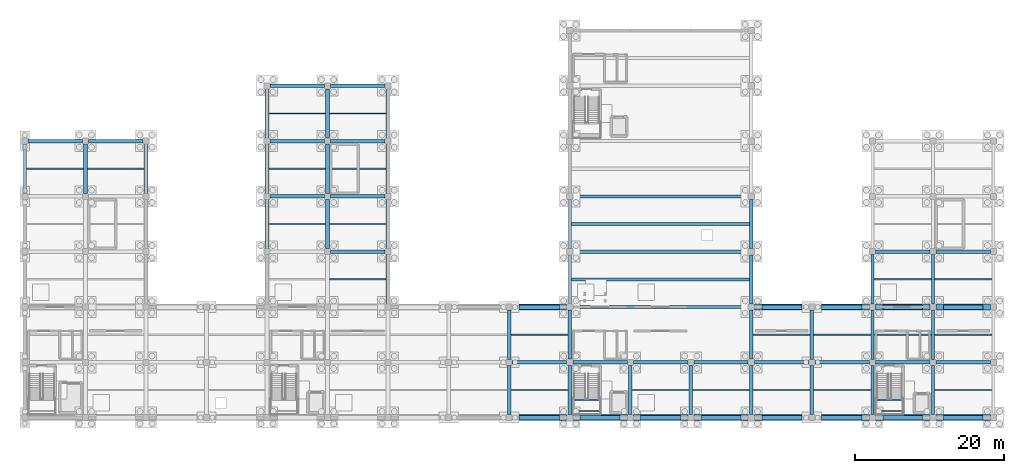
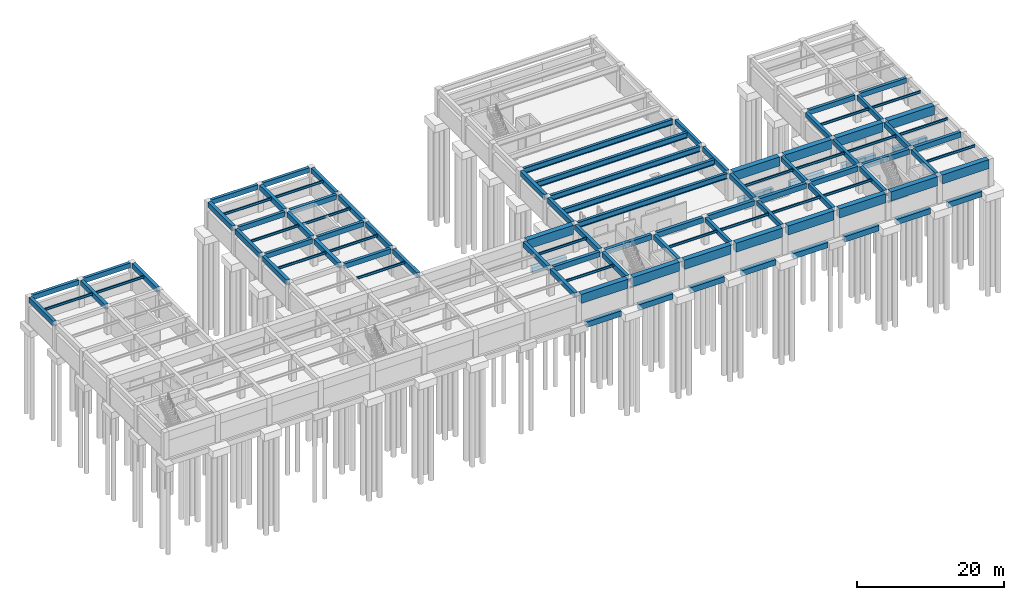
# One storey, part 5 of 14: 109 beams.
"""IFC4 building model written with IfcOpenShell, lengths in metres."""

from ifc_helpers import new_model, si_unit, direction, frame, origin, origin_2d, place, context, subcontext, project, spatial, rectangle, i_section, extrude, material, material_profile, profile_set, type_object, element, save


model = new_model("IFC4")

# Units and contexts
model_context = context("Model", 3, precision=1e-05, world=origin(), true_north=direction((0.0, 1.0)))
body_context = subcontext(model_context, "Body", "Model", "MODEL_VIEW")
ifc_project = project(units=[si_unit("LENGTHUNIT", "METRE"), si_unit("AREAUNIT", "SQUARE_METRE"), si_unit("VOLUMEUNIT", "CUBIC_METRE"), si_unit("PLANEANGLEUNIT", "RADIAN"), si_unit("MASSUNIT", "GRAM", prefix="KILO")], contexts=[model_context])

# Site, building, storey
site_placement = place(None, origin())
site = spatial("IfcSite", under=ifc_project, at=site_placement, CompositionType="ELEMENT")
building_placement = place(site_placement, origin())
building = spatial("IfcBuilding", under=site, at=building_placement, Name="Cimatlan Art Gallery", CompositionType="ELEMENT")
storey_placement = place(building_placement, frame((0.0, 0.0, -4.800048828125)))
storey = spatial("IfcBuildingStorey", under=building, at=storey_placement, Name="B1", CompositionType="ELEMENT", Elevation=-4.800048828125)

# Beams
ifc_material_1 = material(Name="Concrete C40/50", Category="concrete")
ifc_material_profile_1 = material_profile(ifc_material_1, rectangle(XDim=0.60009765625, YDim=0.89990234375, at=origin_2d()), Name="RC600X900")
ifc_profile_set_1 = profile_set([ifc_material_profile_1], Name="Concrete C40/50")
beam_type_1 = type_object("IfcBeamType", Name="BM-GB-600X900", PredefinedType="BEAM", material=ifc_profile_set_1)
for number, where, z_axis, x_axis, name in (
    (1, (68.10009765625, 23.89990234375, -0.89990234375), (1.0, 0.0, 0.0), (0.0, 1.0, 0.0), "BM-GB-X-08-03"),
    (2, (68.10009765625, 38.699951171875, -0.89990234375), (1.0, 0.0, 0.0), (0.0, 1.0, 0.0), "BM-GB-X-08-05"),
):
    element("IfcBeam", number, at=place(storey_placement, frame(where, z_axis=z_axis, x_axis=x_axis)), inside=storey, type_object=beam_type_1, Name=name, PredefinedType="BEAM", context=body_context, shape_type="SweptSolid", body=[
        extrude(rectangle(XDim=0.60009765625, YDim=0.89990234375, at=origin_2d()), origin(), (0.0, 0.0, 1.0), 5.39990234375),
    ])
for number, where, z_axis, x_axis, name in (
    (3, (76.300048828125, 23.89990234375, -0.89990234375), (1.0, 0.0, 0.0), (0.0, 1.0, 0.0), "BM-GB-X-09-03"),
    (4, (84.39990234375, 23.89990234375, -0.89990234375), (1.0, 0.0, 0.0), (0.0, 1.0, 0.0), "BM-GB-X-10-03"),
    (5, (92.5, 23.89990234375, -0.89990234375), (1.0, 0.0, 0.0), (0.0, 1.0, 0.0), "BM-GB-X-11-03"),
):
    element("IfcBeam", number, at=place(storey_placement, frame(where, z_axis=z_axis, x_axis=x_axis)), inside=storey, type_object=beam_type_1, Name=name, PredefinedType="BEAM", context=body_context, shape_type="SweptSolid", body=[
        extrude(rectangle(XDim=0.60009765625, YDim=0.89990234375, at=origin_2d()), origin(), (0.0, 0.0, 1.0), 5.300048828125),
    ])
for number, where, z_axis, x_axis, name in (
    (6, (100.60009765625, 23.89990234375, -0.89990234375), (1.0, 0.0, 0.0), (0.0, 1.0, 0.0), "BM-GB-X-12-03"),
    (7, (100.60009765625, 38.699951171875, -0.89990234375), (1.0, 0.0, 0.0), (0.0, 1.0, 0.0), "BM-GB-X-12-05"),
    (8, (108.60009765625, 23.89990234375, -0.89990234375), (1.0, 0.0, 0.0), (0.0, 1.0, 0.0), "BM-GB-X-13-03"),
    (9, (108.60009765625, 38.699951171875, -0.89990234375), (1.0, 0.0, 0.0), (0.0, 1.0, 0.0), "BM-GB-X-13-05"),
):
    element("IfcBeam", number, at=place(storey_placement, frame(where, z_axis=z_axis, x_axis=x_axis)), inside=storey, type_object=beam_type_1, Name=name, PredefinedType="BEAM", context=body_context, shape_type="SweptSolid", body=[
        extrude(rectangle(XDim=0.60009765625, YDim=0.89990234375, at=origin_2d()), origin(), (0.0, 0.0, 1.0), 5.39990234375),
    ])
for number, where, z_axis, x_axis, name in (
    (10, (116.800048828125, 23.89990234375, -0.89990234375), (1.0, 0.0, 0.0), (0.0, 1.0, 0.0), "BM-GB-X-14-03"),
    (11, (116.800048828125, 38.699951171875, -0.89990234375), (1.0, 0.0, 0.0), (0.0, 1.0, 0.0), "BM-GB-X-14-05"),
    (12, (124.89990234375, 23.89990234375, -0.89990234375), (1.0, 0.0, 0.0), (0.0, 1.0, 0.0), "BM-GB-X-15-03"),
    (13, (124.89990234375, 38.699951171875, -0.89990234375), (1.0, 0.0, 0.0), (0.0, 1.0, 0.0), "BM-GB-X-15-05"),
):
    element("IfcBeam", number, at=place(storey_placement, frame(where, z_axis=z_axis, x_axis=x_axis)), inside=storey, type_object=beam_type_1, Name=name, PredefinedType="BEAM", context=body_context, shape_type="SweptSolid", body=[
        extrude(rectangle(XDim=0.60009765625, YDim=0.89990234375, at=origin_2d()), origin(), (0.0, 0.0, 1.0), 5.300048828125),
    ])
ifc_material_profile_2 = material_profile(ifc_material_1, rectangle(XDim=0.449951171875, YDim=0.800048828125, at=origin_2d()), Name="RC450X800")
ifc_profile_set_2 = profile_set([ifc_material_profile_2], Name="Concrete C40/50")
beam_type_2 = type_object("IfcBeamType", Name="BM-RC-450X800", PredefinedType="BEAM", material=ifc_profile_set_2)
for number, where, z_axis, x_axis, name in (
    (14, (83.0, 24.300048828125, 4.1201171875), (0.0, 1.0, 0.0), (-1.0, 0.0, 0.0), "BM-Y-B1-10-03"),
    (15, (91.10009765625, 24.300048828125, 4.1201171875), (0.0, 1.0, 0.0), (-1.0, 0.0, 0.0), "BM-Y-B1-11-03"),
):
    element("IfcBeam", number, at=place(storey_placement, frame(where, z_axis=z_axis, x_axis=x_axis)), inside=storey, type_object=beam_type_2, Name=name, PredefinedType="BEAM", context=body_context, shape_type="SweptSolid", body=[
        extrude(rectangle(XDim=0.449951171875, YDim=0.800048828125, at=origin_2d()), origin(), (0.0, 0.0, 1.0), 6.599853515625),
    ])
beam_1_placement = place(storey_placement, frame((99.199951171875, 24.324951171875, 4.1201171875), z_axis=(0.0, 1.0, 0.0), x_axis=(-1.0, 0.0, 0.0)))
element("IfcBeam", 16, at=beam_1_placement, inside=storey, type_object=beam_type_2, Name="BM-Y-B1-12-03", PredefinedType="BEAM", context=body_context, shape_type="SweptSolid", body=[
    extrude(rectangle(XDim=0.449951171875, YDim=0.800048828125, at=origin_2d()), origin(), (0.0, 0.0, 1.0), 6.550048828125),
])
beam_2_placement = place(storey_placement, frame((99.199951171875, 31.72509765625, 4.1201171875), z_axis=(0.0, 1.0, 0.0), x_axis=(-1.0, 0.0, 0.0)))
element("IfcBeam", 17, at=beam_2_placement, inside=storey, type_object=beam_type_2, Name="BM-Y-B1-12-04", PredefinedType="BEAM", context=body_context, shape_type="SweptSolid", body=[
    extrude(rectangle(XDim=0.449951171875, YDim=0.800048828125, at=origin_2d()), origin(), (0.0, 0.0, 1.0), 6.5498046875),
])
for number, where, z_axis, x_axis, name in (
    (18, (99.199951171875, 39.125, 4.1201171875), (0.0, 1.0, 0.0), (-1.0, 0.0, 0.0), "BM-Y-B1-12-05"),
    (19, (99.199951171875, 46.52490234375, 4.1201171875), (0.0, 1.0, 0.0), (-1.0, 0.0, 0.0), "BM-Y-B1-12-06"),
):
    element("IfcBeam", number, at=place(storey_placement, frame(where, z_axis=z_axis, x_axis=x_axis)), inside=storey, type_object=beam_type_2, Name=name, PredefinedType="BEAM", context=body_context, shape_type="SweptSolid", body=[
        extrude(rectangle(XDim=0.449951171875, YDim=0.800048828125, at=origin_2d()), origin(), (0.0, 0.0, 1.0), 6.550048828125),
    ])
beam_3_placement = place(storey_placement, frame((107.300048828125, 24.300048828125, 4.1201171875), z_axis=(0.0, 1.0, 0.0), x_axis=(-1.0, 0.0, 0.0)))
element("IfcBeam", 20, at=beam_3_placement, inside=storey, type_object=beam_type_2, Name="BM-Y-B1-13-03", PredefinedType="BEAM", context=body_context, shape_type="SweptSolid", body=[
    extrude(rectangle(XDim=0.449951171875, YDim=0.800048828125, at=origin_2d()), origin(), (0.0, 0.0, 1.0), 6.599853515625),
])
beam_4_placement = place(storey_placement, frame((107.300048828125, 31.699951171875, 4.1201171875), z_axis=(0.0, 1.0, 0.0), x_axis=(-1.0, 0.0, 0.0)))
element("IfcBeam", 21, at=beam_4_placement, inside=storey, type_object=beam_type_2, Name="BM-Y-B1-13-04", PredefinedType="BEAM", context=body_context, shape_type="SweptSolid", body=[
    extrude(rectangle(XDim=0.449951171875, YDim=0.800048828125, at=origin_2d()), origin(), (0.0, 0.0, 1.0), 6.60009765625),
])
beam_5_placement = place(storey_placement, frame((115.39990234375, 24.300048828125, 4.1201171875), z_axis=(0.0, 1.0, 0.0), x_axis=(-1.0, 0.0, 0.0)))
element("IfcBeam", 22, at=beam_5_placement, inside=storey, type_object=beam_type_2, Name="BM-Y-B1-14-03", PredefinedType="BEAM", context=body_context, shape_type="SweptSolid", body=[
    extrude(rectangle(XDim=0.449951171875, YDim=0.800048828125, at=origin_2d()), origin(), (0.0, 0.0, 1.0), 6.599853515625),
])
beam_6_placement = place(storey_placement, frame((115.39990234375, 31.699951171875, 4.1201171875), z_axis=(0.0, 1.0, 0.0), x_axis=(-1.0, 0.0, 0.0)))
element("IfcBeam", 23, at=beam_6_placement, inside=storey, type_object=beam_type_2, Name="BM-Y-B1-14-04", PredefinedType="BEAM", context=body_context, shape_type="SweptSolid", body=[
    extrude(rectangle(XDim=0.449951171875, YDim=0.800048828125, at=origin_2d()), origin(), (0.0, 0.0, 1.0), 6.60009765625),
])
for number, where, z_axis, x_axis, name in (
    (24, (115.39990234375, 39.10009765625, 4.1201171875), (0.0, 1.0, 0.0), (-1.0, 0.0, 0.0), "BM-Y-B1-14-05"),
    (25, (123.5, 24.300048828125, 4.1201171875), (0.0, 1.0, 0.0), (-1.0, 0.0, 0.0), "BM-Y-B1-15-03"),
):
    element("IfcBeam", number, at=place(storey_placement, frame(where, z_axis=z_axis, x_axis=x_axis)), inside=storey, type_object=beam_type_2, Name=name, PredefinedType="BEAM", context=body_context, shape_type="SweptSolid", body=[
        extrude(rectangle(XDim=0.449951171875, YDim=0.800048828125, at=origin_2d()), origin(), (0.0, 0.0, 1.0), 6.599853515625),
    ])
beam_7_placement = place(storey_placement, frame((123.5, 31.699951171875, 4.1201171875), z_axis=(0.0, 1.0, 0.0), x_axis=(-1.0, 0.0, 0.0)))
element("IfcBeam", 26, at=beam_7_placement, inside=storey, type_object=beam_type_2, Name="BM-Y-B1-15-04", PredefinedType="BEAM", context=body_context, shape_type="SweptSolid", body=[
    extrude(rectangle(XDim=0.449951171875, YDim=0.800048828125, at=origin_2d()), origin(), (0.0, 0.0, 1.0), 6.60009765625),
])
beam_8_placement = place(storey_placement, frame((123.5, 39.10009765625, 4.1201171875), z_axis=(0.0, 1.0, 0.0), x_axis=(-1.0, 0.0, 0.0)))
element("IfcBeam", 27, at=beam_8_placement, inside=storey, type_object=beam_type_2, Name="BM-Y-B1-15-05", PredefinedType="BEAM", context=body_context, shape_type="SweptSolid", body=[
    extrude(rectangle(XDim=0.449951171875, YDim=0.800048828125, at=origin_2d()), origin(), (0.0, 0.0, 1.0), 6.599853515625),
])
for number, where, z_axis, x_axis, name in (
    (28, (2.39990234375, 60.89990234375, 4.1201171875), (1.0, 0.0, 0.0), (0.0, 1.0, 0.0), "BM-X-B1-00-08"),
    (29, (10.5, 60.89990234375, 4.1201171875), (1.0, 0.0, 0.0), (0.0, 1.0, 0.0), "BM-X-B1-01-08"),
    (30, (34.800048828125, 53.5, 4.1201171875), (1.0, 0.0, 0.0), (0.0, 1.0, 0.0), "BM-X-B1-04-07"),
    (31, (34.800048828125, 60.89990234375, 4.1201171875), (1.0, 0.0, 0.0), (0.0, 1.0, 0.0), "BM-X-B1-04-08"),
    (32, (34.800048828125, 68.300048828125, 4.1201171875), (1.0, 0.0, 0.0), (0.0, 1.0, 0.0), "BM-X-B1-04-09"),
    (33, (42.89990234375, 46.10009765625, 4.1201171875), (1.0, 0.0, 0.0), (0.0, 1.0, 0.0), "BM-X-B1-05-06"),
    (34, (42.89990234375, 53.5, 4.1201171875), (1.0, 0.0, 0.0), (0.0, 1.0, 0.0), "BM-X-B1-05-07"),
    (35, (42.89990234375, 60.89990234375, 4.1201171875), (1.0, 0.0, 0.0), (0.0, 1.0, 0.0), "BM-X-B1-05-08"),
    (36, (42.89990234375, 68.300048828125, 4.1201171875), (1.0, 0.0, 0.0), (0.0, 1.0, 0.0), "BM-X-B1-05-09"),
    (37, (115.800048828125, 46.10009765625, 4.1201171875), (1.0, 0.0, 0.0), (0.0, 1.0, 0.0), "BM-X-B1-14-06"),
    (38, (123.89990234375, 46.10009765625, 4.1201171875), (1.0, 0.0, 0.0), (0.0, 1.0, 0.0), "BM-X-B1-15-06"),
):
    element("IfcBeam", number, at=place(storey_placement, frame(where, z_axis=z_axis, x_axis=x_axis)), inside=storey, type_object=beam_type_2, Name=name, PredefinedType="BEAM", context=body_context, shape_type="SweptSolid", body=[
        extrude(rectangle(XDim=0.449951171875, YDim=0.800048828125, at=origin_2d()), origin(), (0.0, 0.0, 1.0), 7.300048828125),
    ])
ifc_material_profile_3 = material_profile(ifc_material_1, rectangle(XDim=0.5, YDim=0.85009765625, at=origin_2d()), Name="RC500X850")
ifc_profile_set_3 = profile_set([ifc_material_profile_3], Name="Concrete C40/50")
beam_type_3 = type_object("IfcBeamType", Name="BM-RC-500X850", PredefinedType="BEAM", material=ifc_profile_set_3)
for number, where, z_axis, x_axis, name in (
    (39, (2.0, 53.89990234375, 4.094970703125), (0.0, 1.0, 0.0), (-1.0, 0.0, 0.0), "BM-Y-B1-00-07"),
    (40, (10.10009765625, 53.89990234375, 4.094970703125), (0.0, 1.0, 0.0), (-1.0, 0.0, 0.0), "BM-Y-B1-01-07"),
    (41, (18.199951171875, 53.89990234375, 4.094970703125), (0.0, 1.0, 0.0), (-1.0, 0.0, 0.0), "BM-Y-B1-02-07"),
    (42, (34.39990234375, 46.5, 4.094970703125), (0.0, 1.0, 0.0), (-1.0, 0.0, 0.0), "BM-Y-B1-04-06"),
    (43, (34.39990234375, 53.89990234375, 4.094970703125), (0.0, 1.0, 0.0), (-1.0, 0.0, 0.0), "BM-Y-B1-04-07"),
):
    element("IfcBeam", number, at=place(storey_placement, frame(where, z_axis=z_axis, x_axis=x_axis)), inside=storey, type_object=beam_type_3, Name=name, PredefinedType="BEAM", context=body_context, shape_type="SweptSolid", body=[
        extrude(rectangle(XDim=0.5, YDim=0.85009765625, at=origin_2d()), origin(), (0.0, 0.0, 1.0), 6.60009765625),
    ])
beam_9_placement = place(storey_placement, frame((34.39990234375, 61.300048828125, 4.094970703125), z_axis=(0.0, 1.0, 0.0), x_axis=(-1.0, 0.0, 0.0)))
element("IfcBeam", 44, at=beam_9_placement, inside=storey, type_object=beam_type_3, Name="BM-Y-B1-04-08", PredefinedType="BEAM", context=body_context, shape_type="SweptSolid", body=[
    extrude(rectangle(XDim=0.5, YDim=0.85009765625, at=origin_2d()), origin(), (0.0, 0.0, 1.0), 6.599853515625),
])
for number, where, z_axis, x_axis, name in (
    (45, (42.5, 46.5, 4.094970703125), (0.0, 1.0, 0.0), (-1.0, 0.0, 0.0), "BM-Y-B1-05-06"),
    (46, (42.5, 53.89990234375, 4.094970703125), (0.0, 1.0, 0.0), (-1.0, 0.0, 0.0), "BM-Y-B1-05-07"),
):
    element("IfcBeam", number, at=place(storey_placement, frame(where, z_axis=z_axis, x_axis=x_axis)), inside=storey, type_object=beam_type_3, Name=name, PredefinedType="BEAM", context=body_context, shape_type="SweptSolid", body=[
        extrude(rectangle(XDim=0.5, YDim=0.85009765625, at=origin_2d()), origin(), (0.0, 0.0, 1.0), 6.60009765625),
    ])
for number, where, z_axis, x_axis, name in (
    (47, (42.5, 61.300048828125, 4.094970703125), (0.0, 1.0, 0.0), (-1.0, 0.0, 0.0), "BM-Y-B1-05-08"),
    (48, (50.60009765625, 39.10009765625, 4.094970703125), (0.0, 1.0, 0.0), (-1.0, 0.0, 0.0), "BM-Y-B1-06-05"),
):
    element("IfcBeam", number, at=place(storey_placement, frame(where, z_axis=z_axis, x_axis=x_axis)), inside=storey, type_object=beam_type_3, Name=name, PredefinedType="BEAM", context=body_context, shape_type="SweptSolid", body=[
        extrude(rectangle(XDim=0.5, YDim=0.85009765625, at=origin_2d()), origin(), (0.0, 0.0, 1.0), 6.599853515625),
    ])
for number, where, z_axis, x_axis, name in (
    (49, (50.60009765625, 46.5, 4.094970703125), (0.0, 1.0, 0.0), (-1.0, 0.0, 0.0), "BM-Y-B1-06-06"),
    (50, (50.60009765625, 53.89990234375, 4.094970703125), (0.0, 1.0, 0.0), (-1.0, 0.0, 0.0), "BM-Y-B1-06-07"),
):
    element("IfcBeam", number, at=place(storey_placement, frame(where, z_axis=z_axis, x_axis=x_axis)), inside=storey, type_object=beam_type_3, Name=name, PredefinedType="BEAM", context=body_context, shape_type="SweptSolid", body=[
        extrude(rectangle(XDim=0.5, YDim=0.85009765625, at=origin_2d()), origin(), (0.0, 0.0, 1.0), 6.60009765625),
    ])
for number, where, z_axis, x_axis, name in (
    (51, (50.60009765625, 61.300048828125, 4.094970703125), (0.0, 1.0, 0.0), (-1.0, 0.0, 0.0), "BM-Y-B1-06-08"),
    (52, (66.800048828125, 24.300048828125, 4.094970703125), (0.0, 1.0, 0.0), (-1.0, 0.0, 0.0), "BM-Y-B1-08-03"),
):
    element("IfcBeam", number, at=place(storey_placement, frame(where, z_axis=z_axis, x_axis=x_axis)), inside=storey, type_object=beam_type_3, Name=name, PredefinedType="BEAM", context=body_context, shape_type="SweptSolid", body=[
        extrude(rectangle(XDim=0.5, YDim=0.85009765625, at=origin_2d()), origin(), (0.0, 0.0, 1.0), 6.599853515625),
    ])
beam_10_placement = place(storey_placement, frame((66.800048828125, 31.699951171875, 4.094970703125), z_axis=(0.0, 1.0, 0.0), x_axis=(-1.0, 0.0, 0.0)))
element("IfcBeam", 53, at=beam_10_placement, inside=storey, type_object=beam_type_3, Name="BM-Y-B1-08-04", PredefinedType="BEAM", context=body_context, shape_type="SweptSolid", body=[
    extrude(rectangle(XDim=0.5, YDim=0.85009765625, at=origin_2d()), origin(), (0.0, 0.0, 1.0), 6.60009765625),
])
beam_11_placement = place(storey_placement, frame((74.89990234375, 24.324951171875, 4.094970703125), z_axis=(0.0, 1.0, 0.0), x_axis=(-1.0, 0.0, 0.0)))
element("IfcBeam", 54, at=beam_11_placement, inside=storey, type_object=beam_type_3, Name="BM-Y-B1-09-03", PredefinedType="BEAM", context=body_context, shape_type="SweptSolid", body=[
    extrude(rectangle(XDim=0.5, YDim=0.85009765625, at=origin_2d()), origin(), (0.0, 0.0, 1.0), 6.550048828125),
])
beam_12_placement = place(storey_placement, frame((74.89990234375, 31.72509765625, 4.094970703125), z_axis=(0.0, 1.0, 0.0), x_axis=(-1.0, 0.0, 0.0)))
element("IfcBeam", 55, at=beam_12_placement, inside=storey, type_object=beam_type_3, Name="BM-Y-B1-09-04", PredefinedType="BEAM", context=body_context, shape_type="SweptSolid", body=[
    extrude(rectangle(XDim=0.5, YDim=0.85009765625, at=origin_2d()), origin(), (0.0, 0.0, 1.0), 6.5498046875),
])
for number, where, z_axis, x_axis, name in (
    (56, (74.89990234375, 39.125, 4.094970703125), (0.0, 1.0, 0.0), (-1.0, 0.0, 0.0), "BM-Y-B1-09-05"),
    (57, (74.89990234375, 46.52490234375, 4.094970703125), (0.0, 1.0, 0.0), (-1.0, 0.0, 0.0), "BM-Y-B1-09-06"),
):
    element("IfcBeam", number, at=place(storey_placement, frame(where, z_axis=z_axis, x_axis=x_axis)), inside=storey, type_object=beam_type_3, Name=name, PredefinedType="BEAM", context=body_context, shape_type="SweptSolid", body=[
        extrude(rectangle(XDim=0.5, YDim=0.85009765625, at=origin_2d()), origin(), (0.0, 0.0, 1.0), 6.550048828125),
    ])
for number, where, z_axis, x_axis, name in (
    (58, (67.199951171875, 31.300048828125, 4.094970703125), (1.0, 0.0, 0.0), (0.0, 1.0, 0.0), "BM-X-B1-08-04"),
    (59, (75.324951171875, 31.300048828125, 4.094970703125), (1.0, 0.0, 0.0), (0.0, 1.0, 0.0), "BM-X-B1-09-04"),
):
    element("IfcBeam", number, at=place(storey_placement, frame(where, z_axis=z_axis, x_axis=x_axis)), inside=storey, type_object=beam_type_3, Name=name, PredefinedType="BEAM", context=body_context, shape_type="SweptSolid", body=[
        extrude(rectangle(XDim=0.5, YDim=0.85009765625, at=origin_2d()), origin(), (0.0, 0.0, 1.0), 7.275146484375),
    ])
beam_13_placement = place(storey_placement, frame((83.39990234375, 31.300048828125, 4.094970703125), z_axis=(1.0, 0.0, 0.0), x_axis=(0.0, 1.0, 0.0)))
element("IfcBeam", 60, at=beam_13_placement, inside=storey, type_object=beam_type_3, Name="BM-X-B1-10-04", PredefinedType="BEAM", context=body_context, shape_type="SweptSolid", body=[
    extrude(rectangle(XDim=0.5, YDim=0.85009765625, at=origin_2d()), origin(), (0.0, 0.0, 1.0), 7.300048828125),
])
for number, where, z_axis, x_axis, name in (
    (61, (91.5, 31.300048828125, 4.094970703125), (1.0, 0.0, 0.0), (0.0, 1.0, 0.0), "BM-X-B1-11-04"),
    (62, (99.625, 31.300048828125, 4.094970703125), (1.0, 0.0, 0.0), (0.0, 1.0, 0.0), "BM-X-B1-12-04"),
):
    element("IfcBeam", number, at=place(storey_placement, frame(where, z_axis=z_axis, x_axis=x_axis)), inside=storey, type_object=beam_type_3, Name=name, PredefinedType="BEAM", context=body_context, shape_type="SweptSolid", body=[
        extrude(rectangle(XDim=0.5, YDim=0.85009765625, at=origin_2d()), origin(), (0.0, 0.0, 1.0), 7.27490234375),
    ])
for number, where, z_axis, x_axis, name in (
    (63, (107.699951171875, 31.300048828125, 4.094970703125), (1.0, 0.0, 0.0), (0.0, 1.0, 0.0), "BM-X-B1-13-04"),
    (64, (115.800048828125, 31.300048828125, 4.094970703125), (1.0, 0.0, 0.0), (0.0, 1.0, 0.0), "BM-X-B1-14-04"),
    (65, (123.89990234375, 31.300048828125, 4.094970703125), (1.0, 0.0, 0.0), (0.0, 1.0, 0.0), "BM-X-B1-15-04"),
):
    element("IfcBeam", number, at=place(storey_placement, frame(where, z_axis=z_axis, x_axis=x_axis)), inside=storey, type_object=beam_type_3, Name=name, PredefinedType="BEAM", context=body_context, shape_type="SweptSolid", body=[
        extrude(rectangle(XDim=0.5, YDim=0.85009765625, at=origin_2d()), origin(), (0.0, 0.0, 1.0), 7.300048828125),
    ])
ifc_material_2 = material(Name="Steel ASTM A992 Grade 50", Category="steel")
ifc_material_profile_4 = material_profile(ifc_material_2, i_section(OverallWidth=0.41796875, OverallDepth=0.927001953125, WebThickness=0.019287109375, FlangeThickness=0.031982421875, at=origin_2d()), Name="W36X231")
ifc_profile_set_4 = profile_set([ifc_material_profile_4], Name="Steel ASTM A992 Grade 50")
beam_type_4 = type_object("IfcBeamType", Name="BM-SPAN24-L01", PredefinedType="BEAM", material=ifc_profile_set_4)
beam_14_placement = place(storey_placement, frame((75.324951171875, 38.699951171875, 4.056640625), z_axis=(1.0, 0.0, 0.0), x_axis=(0.0, 1.0, 0.0)))
element("IfcBeam", 66, at=beam_14_placement, inside=storey, type_object=beam_type_4, Name="BM-SP24-B1-05", PredefinedType="BEAM", context=body_context, shape_type="SweptSolid", body=[
    extrude(i_section(OverallWidth=0.41796875, OverallDepth=0.927001953125, WebThickness=0.019287109375, FlangeThickness=0.031982421875, at=origin_2d()), origin(), (0.0, 0.0, 1.0), 23.449951171875),
])
beam_15_placement = place(storey_placement, frame((75.14990234375, 42.39990234375, 4.056640625), z_axis=(1.0, 0.0, 0.0), x_axis=(0.0, 1.0, 0.0)))
element("IfcBeam", 67, at=beam_15_placement, inside=storey, type_object=beam_type_4, Name="BM-SP24M-B1-05", PredefinedType="BEAM", context=body_context, shape_type="SweptSolid", body=[
    extrude(i_section(OverallWidth=0.41796875, OverallDepth=0.927001953125, WebThickness=0.019287109375, FlangeThickness=0.031982421875, at=origin_2d()), origin(), (0.0, 0.0, 1.0), 23.8251953125),
])
beam_16_placement = place(storey_placement, frame((75.324951171875, 46.10009765625, 4.056640625), z_axis=(1.0, 0.0, 0.0), x_axis=(0.0, 1.0, 0.0)))
element("IfcBeam", 68, at=beam_16_placement, inside=storey, type_object=beam_type_4, Name="BM-SP24-B1-06", PredefinedType="BEAM", context=body_context, shape_type="SweptSolid", body=[
    extrude(i_section(OverallWidth=0.41796875, OverallDepth=0.927001953125, WebThickness=0.019287109375, FlangeThickness=0.031982421875, at=origin_2d()), origin(), (0.0, 0.0, 1.0), 23.449951171875),
])
beam_17_placement = place(storey_placement, frame((75.14990234375, 49.800048828125, 4.056640625), z_axis=(1.0, 0.0, 0.0), x_axis=(0.0, 1.0, 0.0)))
element("IfcBeam", 69, at=beam_17_placement, inside=storey, type_object=beam_type_4, Name="BM-SP24M-B1-06", PredefinedType="BEAM", context=body_context, shape_type="SweptSolid", body=[
    extrude(i_section(OverallWidth=0.41796875, OverallDepth=0.927001953125, WebThickness=0.019287109375, FlangeThickness=0.031982421875, at=origin_2d()), origin(), (0.0, 0.0, 1.0), 23.8251953125),
])
beam_18_placement = place(storey_placement, frame((75.324951171875, 53.5, 4.056640625), z_axis=(1.0, 0.0, 0.0), x_axis=(0.0, 1.0, 0.0)))
element("IfcBeam", 70, at=beam_18_placement, inside=storey, type_object=beam_type_4, Name="BM-SP24-B1-07", PredefinedType="BEAM", context=body_context, shape_type="SweptSolid", body=[
    extrude(i_section(OverallWidth=0.41796875, OverallDepth=0.927001953125, WebThickness=0.019287109375, FlangeThickness=0.031982421875, at=origin_2d()), origin(), (0.0, 0.0, 1.0), 23.449951171875),
])
ifc_material_profile_5 = material_profile(ifc_material_2, i_section(OverallWidth=0.1650390625, OverallDepth=0.31005859375, WebThickness=0.005859375, FlangeThickness=0.009765625, at=origin_2d()), Name="W12X26")
ifc_profile_set_5 = profile_set([ifc_material_profile_5], Name="Steel ASTM A992 Grade 50")
beam_type_5 = type_object("IfcBeamType", Name="BM-STL-W12X26", PredefinedType="JOIST", material=ifc_profile_set_5)
for number, where, z_axis, x_axis, name in (
    (71, (75.514892578125, 24.800048828125, 2.025146484375), (1.0, 0.0, 0.0), (0.0, 1.0, 0.0), "BM-STR-C3-B1-LH1"),
    (72, (75.514892578125, 26.300048828125, 2.025146484375), (1.0, 0.0, 0.0), (0.0, 1.0, 0.0), "BM-STR-C3-B1-LH2"),
    (73, (116.014892578125, 24.800048828125, 2.025146484375), (1.0, 0.0, 0.0), (0.0, 1.0, 0.0), "BM-STR-C4-B1-LH1"),
    (74, (116.014892578125, 26.300048828125, 2.025146484375), (1.0, 0.0, 0.0), (0.0, 1.0, 0.0), "BM-STR-C4-B1-LH2"),
):
    element("IfcBeam", number, at=place(storey_placement, frame(where, z_axis=z_axis, x_axis=x_axis)), inside=storey, type_object=beam_type_5, Name=name, PredefinedType="JOIST", context=body_context, shape_type="SweptSolid", body=[
        extrude(i_section(OverallWidth=0.1650390625, OverallDepth=0.31005859375, WebThickness=0.005859375, FlangeThickness=0.009765625, at=origin_2d()), origin(), (0.0, 0.0, 1.0), 3.2900390625),
    ])
ifc_material_profile_6 = material_profile(ifc_material_2, i_section(OverallWidth=0.177978515625, OverallDepth=0.406982421875, WebThickness=0.0078125, FlangeThickness=0.0126953125, at=origin_2d()), Name="W16X40")
ifc_profile_set_6 = profile_set([ifc_material_profile_6], Name="Steel ASTM A992 Grade 50")
beam_type_6 = type_object("IfcBeamType", Name="BM-STL-W16X40", PredefinedType="JOIST", material=ifc_profile_set_6)
beam_19_placement = place(storey_placement, frame((2.25, 57.199951171875, 4.316650390625), z_axis=(1.0, 0.0, 0.0), x_axis=(0.0, 1.0, 0.0)))
element("IfcBeam", 75, at=beam_19_placement, inside=storey, type_object=beam_type_6, Name="JST-B1-00-07", PredefinedType="JOIST", context=body_context, shape_type="SweptSolid", body=[
    extrude(i_section(OverallWidth=0.177978515625, OverallDepth=0.406982421875, WebThickness=0.0078125, FlangeThickness=0.0126953125, at=origin_2d()), origin(), (0.0, 0.0, 1.0), 7.60009765625),
])
beam_20_placement = place(storey_placement, frame((10.35009765625, 57.199951171875, 4.316650390625), z_axis=(1.0, 0.0, 0.0), x_axis=(0.0, 1.0, 0.0)))
element("IfcBeam", 76, at=beam_20_placement, inside=storey, type_object=beam_type_6, Name="JST-B1-01-07", PredefinedType="JOIST", context=body_context, shape_type="SweptSolid", body=[
    extrude(i_section(OverallWidth=0.177978515625, OverallDepth=0.406982421875, WebThickness=0.0078125, FlangeThickness=0.0126953125, at=origin_2d()), origin(), (0.0, 0.0, 1.0), 7.599853515625),
])
for number, where, z_axis, x_axis, name in (
    (77, (34.64990234375, 49.800048828125, 4.316650390625), (1.0, 0.0, 0.0), (0.0, 1.0, 0.0), "JST-B1-04-06"),
    (78, (34.64990234375, 57.199951171875, 4.316650390625), (1.0, 0.0, 0.0), (0.0, 1.0, 0.0), "JST-B1-04-07"),
    (79, (34.64990234375, 64.60009765625, 4.316650390625), (1.0, 0.0, 0.0), (0.0, 1.0, 0.0), "JST-B1-04-08"),
    (80, (42.75, 42.39990234375, 4.316650390625), (1.0, 0.0, 0.0), (0.0, 1.0, 0.0), "JST-B1-05-05"),
    (81, (42.75, 49.800048828125, 4.316650390625), (1.0, 0.0, 0.0), (0.0, 1.0, 0.0), "JST-B1-05-06"),
    (82, (42.75, 57.199951171875, 4.316650390625), (1.0, 0.0, 0.0), (0.0, 1.0, 0.0), "JST-B1-05-07"),
    (83, (42.75, 64.60009765625, 4.316650390625), (1.0, 0.0, 0.0), (0.0, 1.0, 0.0), "JST-B1-05-08"),
):
    element("IfcBeam", number, at=place(storey_placement, frame(where, z_axis=z_axis, x_axis=x_axis)), inside=storey, type_object=beam_type_6, Name=name, PredefinedType="JOIST", context=body_context, shape_type="SweptSolid", body=[
        extrude(i_section(OverallWidth=0.177978515625, OverallDepth=0.406982421875, WebThickness=0.0078125, FlangeThickness=0.0126953125, at=origin_2d()), origin(), (0.0, 0.0, 1.0), 7.60009765625),
    ])
for number, where, z_axis, x_axis, name in (
    (84, (67.050048828125, 27.60009765625, 4.316650390625), (1.0, 0.0, 0.0), (0.0, 1.0, 0.0), "JST-B1-08-03"),
    (85, (67.050048828125, 35.0, 4.316650390625), (1.0, 0.0, 0.0), (0.0, 1.0, 0.0), "JST-B1-08-04"),
):
    element("IfcBeam", number, at=place(storey_placement, frame(where, z_axis=z_axis, x_axis=x_axis)), inside=storey, type_object=beam_type_6, Name=name, PredefinedType="JOIST", context=body_context, shape_type="SweptSolid", body=[
        extrude(i_section(OverallWidth=0.177978515625, OverallDepth=0.406982421875, WebThickness=0.0078125, FlangeThickness=0.0126953125, at=origin_2d()), origin(), (0.0, 0.0, 1.0), 7.599853515625),
    ])
beam_21_placement = place(storey_placement, frame((83.22509765625, 27.60009765625, 4.316650390625), z_axis=(1.0, 0.0, 0.0), x_axis=(0.0, 1.0, 0.0)))
element("IfcBeam", 86, at=beam_21_placement, inside=storey, type_object=beam_type_6, Name="JST-B1-10-03", PredefinedType="JOIST", context=body_context, shape_type="SweptSolid", body=[
    extrude(i_section(OverallWidth=0.177978515625, OverallDepth=0.406982421875, WebThickness=0.0078125, FlangeThickness=0.0126953125, at=origin_2d()), origin(), (0.0, 0.0, 1.0), 7.64990234375),
])
beam_22_placement = place(storey_placement, frame((91.324951171875, 27.60009765625, 4.316650390625), z_axis=(1.0, 0.0, 0.0), x_axis=(0.0, 1.0, 0.0)))
element("IfcBeam", 87, at=beam_22_placement, inside=storey, type_object=beam_type_6, Name="JST-B1-11-03", PredefinedType="JOIST", context=body_context, shape_type="SweptSolid", body=[
    extrude(i_section(OverallWidth=0.177978515625, OverallDepth=0.406982421875, WebThickness=0.0078125, FlangeThickness=0.0126953125, at=origin_2d()), origin(), (0.0, 0.0, 1.0), 7.650146484375),
])
for number, where, z_axis, x_axis, name in (
    (88, (99.425048828125, 27.60009765625, 4.316650390625), (1.0, 0.0, 0.0), (0.0, 1.0, 0.0), "JST-B1-12-03"),
    (89, (99.425048828125, 35.0, 4.316650390625), (1.0, 0.0, 0.0), (0.0, 1.0, 0.0), "JST-B1-12-04"),
):
    element("IfcBeam", number, at=place(storey_placement, frame(where, z_axis=z_axis, x_axis=x_axis)), inside=storey, type_object=beam_type_6, Name=name, PredefinedType="JOIST", context=body_context, shape_type="SweptSolid", body=[
        extrude(i_section(OverallWidth=0.177978515625, OverallDepth=0.406982421875, WebThickness=0.0078125, FlangeThickness=0.0126953125, at=origin_2d()), origin(), (0.0, 0.0, 1.0), 7.64990234375),
    ])
for number, where, z_axis, x_axis, name in (
    (90, (107.52490234375, 27.60009765625, 4.316650390625), (1.0, 0.0, 0.0), (0.0, 1.0, 0.0), "JST-B1-13-03"),
    (91, (107.52490234375, 35.0, 4.316650390625), (1.0, 0.0, 0.0), (0.0, 1.0, 0.0), "JST-B1-13-04"),
):
    element("IfcBeam", number, at=place(storey_placement, frame(where, z_axis=z_axis, x_axis=x_axis)), inside=storey, type_object=beam_type_6, Name=name, PredefinedType="JOIST", context=body_context, shape_type="SweptSolid", body=[
        extrude(i_section(OverallWidth=0.177978515625, OverallDepth=0.406982421875, WebThickness=0.0078125, FlangeThickness=0.0126953125, at=origin_2d()), origin(), (0.0, 0.0, 1.0), 7.650146484375),
    ])
for number, where, z_axis, x_axis, name in (
    (92, (115.625, 35.0, 4.316650390625), (1.0, 0.0, 0.0), (0.0, 1.0, 0.0), "JST-B1-14-04"),
    (93, (115.625, 42.39990234375, 4.316650390625), (1.0, 0.0, 0.0), (0.0, 1.0, 0.0), "JST-B1-14-05"),
    (94, (123.72509765625, 27.60009765625, 4.316650390625), (1.0, 0.0, 0.0), (0.0, 1.0, 0.0), "JST-B1-15-03"),
    (95, (123.72509765625, 35.0, 4.316650390625), (1.0, 0.0, 0.0), (0.0, 1.0, 0.0), "JST-B1-15-04"),
    (96, (123.72509765625, 42.39990234375, 4.316650390625), (1.0, 0.0, 0.0), (0.0, 1.0, 0.0), "JST-B1-15-05"),
):
    element("IfcBeam", number, at=place(storey_placement, frame(where, z_axis=z_axis, x_axis=x_axis)), inside=storey, type_object=beam_type_6, Name=name, PredefinedType="JOIST", context=body_context, shape_type="SweptSolid", body=[
        extrude(i_section(OverallWidth=0.177978515625, OverallDepth=0.406982421875, WebThickness=0.0078125, FlangeThickness=0.0126953125, at=origin_2d()), origin(), (0.0, 0.0, 1.0), 7.64990234375),
    ])
ifc_material_profile_7 = material_profile(ifc_material_1, rectangle(XDim=0.800048828125, YDim=1.5, at=origin_2d()), Name="RC800X1500")
ifc_profile_set_7 = profile_set([ifc_material_profile_7], Name="Concrete C40/50")
beam_type_7 = type_object("IfcBeamType", Name="BM-TRG-800X1500", PredefinedType="BEAM", material=ifc_profile_set_7)
for number, where, z_axis, x_axis, name in (
    (97, (67.199951171875, 23.89990234375, 3.77001953125), (1.0, 0.0, 0.0), (0.0, 1.0, 0.0), "BM-X-B1-08-03"),
    (98, (67.199951171875, 38.699951171875, 3.77001953125), (1.0, 0.0, 0.0), (0.0, 1.0, 0.0), "BM-X-B1-08-05"),
    (99, (75.324951171875, 23.89990234375, 3.77001953125), (1.0, 0.0, 0.0), (0.0, 1.0, 0.0), "BM-X-B1-09-03"),
):
    element("IfcBeam", number, at=place(storey_placement, frame(where, z_axis=z_axis, x_axis=x_axis)), inside=storey, type_object=beam_type_7, Name=name, PredefinedType="BEAM", context=body_context, shape_type="SweptSolid", body=[
        extrude(rectangle(XDim=0.800048828125, YDim=1.5, at=origin_2d()), origin(), (0.0, 0.0, 1.0), 7.275146484375),
    ])
beam_23_placement = place(storey_placement, frame((83.39990234375, 23.89990234375, 3.77001953125), z_axis=(1.0, 0.0, 0.0), x_axis=(0.0, 1.0, 0.0)))
element("IfcBeam", 100, at=beam_23_placement, inside=storey, type_object=beam_type_7, Name="BM-X-B1-10-03", PredefinedType="BEAM", context=body_context, shape_type="SweptSolid", body=[
    extrude(rectangle(XDim=0.800048828125, YDim=1.5, at=origin_2d()), origin(), (0.0, 0.0, 1.0), 7.300048828125),
])
for number, where, z_axis, x_axis, name in (
    (101, (91.5, 23.89990234375, 3.77001953125), (1.0, 0.0, 0.0), (0.0, 1.0, 0.0), "BM-X-B1-11-03"),
    (102, (99.625, 23.89990234375, 3.77001953125), (1.0, 0.0, 0.0), (0.0, 1.0, 0.0), "BM-X-B1-12-03"),
    (103, (99.625, 38.699951171875, 3.77001953125), (1.0, 0.0, 0.0), (0.0, 1.0, 0.0), "BM-X-B1-12-05"),
):
    element("IfcBeam", number, at=place(storey_placement, frame(where, z_axis=z_axis, x_axis=x_axis)), inside=storey, type_object=beam_type_7, Name=name, PredefinedType="BEAM", context=body_context, shape_type="SweptSolid", body=[
        extrude(rectangle(XDim=0.800048828125, YDim=1.5, at=origin_2d()), origin(), (0.0, 0.0, 1.0), 7.27490234375),
    ])
for number, where, z_axis, x_axis, name in (
    (104, (107.699951171875, 23.89990234375, 3.77001953125), (1.0, 0.0, 0.0), (0.0, 1.0, 0.0), "BM-X-B1-13-03"),
    (105, (107.699951171875, 38.699951171875, 3.77001953125), (1.0, 0.0, 0.0), (0.0, 1.0, 0.0), "BM-X-B1-13-05"),
    (106, (115.800048828125, 23.89990234375, 3.77001953125), (1.0, 0.0, 0.0), (0.0, 1.0, 0.0), "BM-X-B1-14-03"),
    (107, (115.800048828125, 38.699951171875, 3.77001953125), (1.0, 0.0, 0.0), (0.0, 1.0, 0.0), "BM-X-B1-14-05"),
    (108, (123.89990234375, 23.89990234375, 3.77001953125), (1.0, 0.0, 0.0), (0.0, 1.0, 0.0), "BM-X-B1-15-03"),
    (109, (123.89990234375, 38.699951171875, 3.77001953125), (1.0, 0.0, 0.0), (0.0, 1.0, 0.0), "BM-X-B1-15-05"),
):
    element("IfcBeam", number, at=place(storey_placement, frame(where, z_axis=z_axis, x_axis=x_axis)), inside=storey, type_object=beam_type_7, Name=name, PredefinedType="BEAM", context=body_context, shape_type="SweptSolid", body=[
        extrude(rectangle(XDim=0.800048828125, YDim=1.5, at=origin_2d()), origin(), (0.0, 0.0, 1.0), 7.300048828125),
    ])

save(model, "model.ifc")
